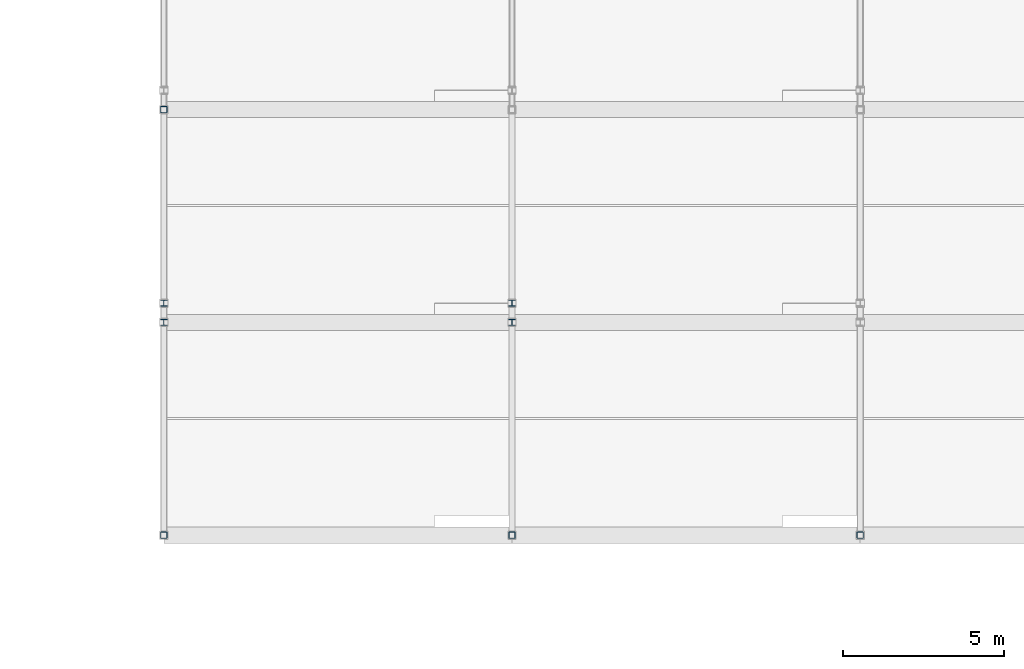
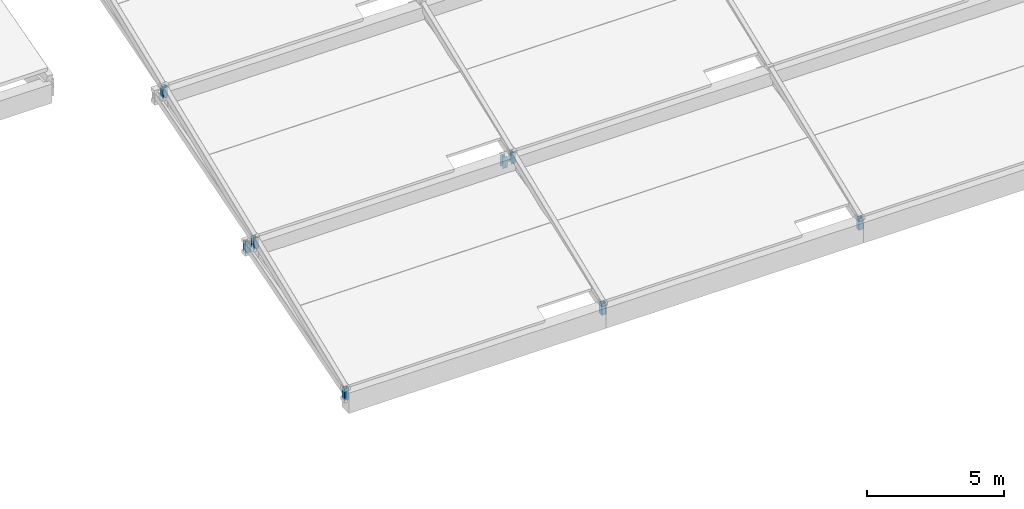
# One storey, part 68 of 112: 8 members.
"""IFC4 building model written with IfcOpenShell, lengths in metres."""

import ifcopenshell
import ifcopenshell.guid

model = None  # the IFC model being written
_history = None  # IfcOwnerHistory: only IFC2X3 demands one
_inside = {}  # id of a spatial element -> (the spatial element, [elements in it])
_under = {}  # id of a project, library or spatial element -> (it, [spatial elements below it])
_declared = {}  # id of a project -> (the project, [libraries it declares])
_typed = {}  # id of a type object -> (the type object, [elements of that type])
_made_of = {}  # id of a material, layer set ... -> (it, [elements and type objects made of it])


def new_model(schema):
    """Start an empty IFC model of exactly this schema.

    Asked for "IFC4X3", IfcOpenShell would pick the latest addendum, in which some entities
    have other attributes; the version numbers below select the first issue.
    IFC2X3 requires an IfcOwnerHistory on every rooted entity: one is made here for all.
    """
    global model, _history
    if schema == "IFC4X3":
        model = ifcopenshell.file(schema_version=(4, 3, 0, 0))
    else:
        model = ifcopenshell.file(schema=schema)
    _inside.clear()
    _under.clear()
    _declared.clear()
    _typed.clear()
    _made_of.clear()
    _history = None
    if model.schema == "IFC2X3":
        org = make("IfcOrganization", Name="unknown")
        user = make(
            "IfcPersonAndOrganization",
            ThePerson=make("IfcPerson", FamilyName="unknown"),
            TheOrganization=org,
        )
        app = make(
            "IfcApplication",
            ApplicationDeveloper=org,
            Version="unknown",
            ApplicationFullName="unknown",
            ApplicationIdentifier="unknown",
        )
        _history = make(
            "IfcOwnerHistory",
            OwningUser=user,
            OwningApplication=app,
            ChangeAction="ADDED",
            CreationDate=0,
        )
    return model


def make(cls, **values):
    """One entity of the class cls with the attributes given. An attribute that is None is left unset."""
    return model.create_entity(
        cls, **{name: value for name, value in values.items() if value is not None}
    )


def rooted(cls, **values):
    """An entity with a GlobalId (a new one), such as an element, a storey or a relation."""
    return make(cls, GlobalId=ifcopenshell.guid.new(), OwnerHistory=_history, **values)


def si_unit(unit_type, name, prefix=None):
    """IfcSIUnit, for example si_unit("LENGTHUNIT", "METRE", prefix="MILLI")."""
    return make("IfcSIUnit", UnitType=unit_type, Prefix=prefix, Name=name)


def assignment(units):
    """IfcUnitAssignment: the units of a project."""
    return None if units is None else make("IfcUnitAssignment", Units=units)


def point(xyz):
    """IfcCartesianPoint."""
    return None if xyz is None else make("IfcCartesianPoint", Coordinates=xyz)


def direction(xyz):
    """IfcDirection."""
    return None if xyz is None else make("IfcDirection", DirectionRatios=xyz)


def frame(location, z_axis=None, x_axis=None):
    """IfcAxis2Placement3D, a coordinate frame: its origin and axes. An axis left out is left unset."""
    return make(
        "IfcAxis2Placement3D",
        Location=point(location),
        Axis=direction(z_axis),
        RefDirection=direction(x_axis),
    )


def frame_2d(location, x_axis=None):
    """IfcAxis2Placement2D, a coordinate frame in the plane: its origin and x axis."""
    return make(
        "IfcAxis2Placement2D", Location=point(location), RefDirection=direction(x_axis)
    )


def origin():
    """The frame at (0, 0, 0) with its axes left unset."""
    return frame((0.0, 0.0, 0.0))


def origin_2d():
    """The frame at (0, 0) in the plane with its x axis left unset."""
    return frame_2d((0.0, 0.0))


def place(relative_to, where):
    """IfcLocalPlacement: puts the frame where relative to a parent placement (None: the world)."""
    return make(
        "IfcLocalPlacement", PlacementRelTo=relative_to, RelativePlacement=where
    )


def context(
    kind, dimensions, precision=None, world=None, true_north=None, identifier=None
):
    """IfcGeometricRepresentationContext, for example the 3D "Model" context."""
    return make(
        "IfcGeometricRepresentationContext",
        ContextIdentifier=identifier,
        ContextType=kind,
        CoordinateSpaceDimension=dimensions,
        Precision=precision,
        WorldCoordinateSystem=world,
        TrueNorth=true_north,
    )


def subcontext(parent, identifier, kind, view, scale=None):
    """IfcGeometricRepresentationSubContext, for example "Body" below "Model"."""
    return make(
        "IfcGeometricRepresentationSubContext",
        ContextIdentifier=identifier,
        ContextType=kind,
        ParentContext=parent,
        TargetScale=scale,
        TargetView=view,
    )


def project(units=None, contexts=None):
    """IfcProject with its units and contexts."""
    return rooted(
        "IfcProject",
        Name="project",
        RepresentationContexts=contexts,
        UnitsInContext=assignment(units),
    )


def spatial(cls, under=None, at=None, **own):
    """A site, building, storey or space (cls), placed at a placement, below another one or the project."""
    s = rooted(cls, ObjectPlacement=at, **own)
    if under is not None:
        _under.setdefault(under.id(), (under, []))[1].append(s)
    return s


def profile(cls, at=None, kind="AREA", **sizes):
    """A parametric profile (cls). Its sizes go by their IFC names, for example OverallWidth=200.0."""
    return make(cls, ProfileType=kind, Position=at, **sizes)


def hollow_rectangle(**sizes):
    """IfcRectangleHollowProfileDef."""
    return profile("IfcRectangleHollowProfileDef", **sizes)


def i_section(**sizes):
    """IfcIShapeProfileDef."""
    return profile("IfcIShapeProfileDef", **sizes)


def extrude(swept, where, along, depth):
    """IfcExtrudedAreaSolid: the profile swept, set in the frame where, extruded along a direction by depth."""
    return make(
        "IfcExtrudedAreaSolid",
        SweptArea=swept,
        Position=where,
        ExtrudedDirection=direction(along),
        Depth=depth,
    )


def shape(context_of_items, identifier, shape_type, items):
    """IfcShapeRepresentation: the items that make up one representation, for example the "Body"."""
    return make(
        "IfcShapeRepresentation",
        ContextOfItems=context_of_items,
        RepresentationIdentifier=identifier,
        RepresentationType=shape_type,
        Items=items,
    )


def material(Name=None, Category=None):
    """IfcMaterial."""
    return make("IfcMaterial", Name=Name, Category=Category)


def material_profile(
    of_material, cross_section, Name=None, Category=None, Priority=None
):
    """IfcMaterialProfile: a cross section and its material."""
    return make(
        "IfcMaterialProfile",
        Name=Name,
        Material=of_material,
        Profile=cross_section,
        Priority=Priority,
        Category=Category,
    )


def profile_set(profiles, Name=None, composite=None):
    """IfcMaterialProfileSet."""
    return make(
        "IfcMaterialProfileSet",
        Name=Name,
        MaterialProfiles=profiles,
        CompositeProfile=composite,
    )


def made_of(thing, what):
    """Note that an element or type object is made of a material, layer set ...; save() writes the relation."""
    if what is not None:
        _made_of.setdefault(what.id(), (what, []))[1].append(thing)
    return thing


def type_object(cls, material=None, **own):
    """A type object (cls), such as IfcWallType, which elements share."""
    return made_of(rooted(cls, **own), material)


def element(
    cls,
    number,
    at=None,
    inside=None,
    cuts=None,
    type_object=None,
    material=None,
    context=None,
    identifier="Body",
    shape_type=None,
    held_by="IfcProductDefinitionShape",
    body=None,
    shapes=None,
    **own,
):
    """One element of the class cls, such as IfcWall. Its Tag is "e" and its number.

    at: its placement. inside: the storey or other place that contains it. cuts: it is an
    opening in that element (IfcRelVoidsElement). A single representation is given by context,
    identifier, shape_type and body (its items); several are given by shapes. held_by: the class
    of the entity that holds the representations. save() writes the other relations.
    """
    e = rooted(cls, Tag="e%d" % number, ObjectPlacement=at, **own)
    if body is not None:
        shapes = [shape(context, identifier, shape_type, body)]
    if shapes is not None:
        e.Representation = make(held_by, Representations=shapes)
    if inside is not None:
        _inside.setdefault(inside.id(), (inside, []))[1].append(e)
    if cuts is not None:
        rooted(
            "IfcRelVoidsElement", RelatingBuildingElement=cuts, RelatedOpeningElement=e
        )
    if type_object is not None:
        _typed.setdefault(type_object.id(), (type_object, []))[1].append(e)
    return made_of(e, material)


def aggregate(whole, parts):
    """IfcRelAggregates: a whole, such as a stair, and the parts it consists of."""
    return rooted("IfcRelAggregates", RelatingObject=whole, RelatedObjects=parts)


def save(model, path):
    """Write the relations noted so far, then the file.

    IfcRelAggregates (storeys below a building ...), IfcRelContainedInSpatialStructure (elements
    in a storey), IfcRelDefinesByType, IfcRelAssociatesMaterial and IfcRelDeclares: one each for
    every whole, place, type object, material and project.
    """
    for whole, parts in _under.values():
        aggregate(whole, parts)
    for where, things in _inside.values():
        rooted(
            "IfcRelContainedInSpatialStructure",
            RelatedElements=things,
            RelatingStructure=where,
        )
    for kind, things in _typed.values():
        rooted("IfcRelDefinesByType", RelatedObjects=things, RelatingType=kind)
    for what, things in _made_of.values():
        rooted("IfcRelAssociatesMaterial", RelatedObjects=things, RelatingMaterial=what)
    for by, libraries in _declared.values():
        rooted("IfcRelDeclares", RelatingContext=by, RelatedDefinitions=libraries)
    model.write(path)


model = new_model("IFC4")

# Units and contexts
model_context = context("Model", 3, precision=1e-05, world=origin(), true_north=direction((0.0, 1.0)))
body_context = subcontext(model_context, "Body", "Model", "MODEL_VIEW")
ifc_project = project(units=[si_unit("LENGTHUNIT", "METRE"), si_unit("AREAUNIT", "SQUARE_METRE"), si_unit("VOLUMEUNIT", "CUBIC_METRE"), si_unit("PLANEANGLEUNIT", "RADIAN"), si_unit("MASSUNIT", "GRAM", prefix="KILO")], contexts=[model_context])

# Site, building, storey
site_placement = place(None, origin())
site = spatial("IfcSite", under=ifc_project, at=site_placement, CompositionType="ELEMENT")
building_placement = place(site_placement, origin())
building = spatial("IfcBuilding", under=site, at=building_placement, Name="Zwinboog Wholesale Market", CompositionType="ELEMENT")
storey_placement = place(building_placement, frame((0.0, 0.0, 19.080078125)))
storey = spatial("IfcBuildingStorey", under=building, at=storey_placement, Name="Roof", CompositionType="ELEMENT", Elevation=19.080078125)

# Members
ifc_material = material(Name="Steel S355", Category="steel")
ifc_material_profile_1 = material_profile(ifc_material, hollow_rectangle(XDim=0.199951171875, YDim=0.199951171875, WallThickness=0.010009765625, InnerFilletRadius=0.010009765625, OuterFilletRadius=0.02001953125, at=origin_2d()), Name="SHS 200x200x10")
ifc_profile_set_1 = profile_set([ifc_material_profile_1], Name="Steel S355")
member_type_1 = type_object("IfcMemberType", Name="MT-04", PredefinedType="BRACE", material=ifc_profile_set_1)
for number, where, z_axis, x_axis, name in (
    (1, (64.800048828125, 43.199951171875, -10.030029296875), (0.0, 0.0, 1.0), (1.0, 0.0, 0.0), "DB-01 (MEM-Roof-0002)"),
    (2, (64.800048828125, 56.39990234375, -4.630126953125), (0.0, 0.0, 1.0), (1.0, 0.0, 0.0), "DB-01 (MEM-Roof-0008)"),
    (3, (75.60009765625, 43.199951171875, -10.030029296875), (0.0, 0.0, 1.0), (1.0, 0.0, 0.0), "DB-01 (MEM-Roof-0032)"),
    (4, (86.39990234375, 43.199951171875, -10.030029296875), (0.0, 0.0, 1.0), (1.0, 0.0, 0.0), "DB-01 (MEM-Roof-0062)"),
):
    element("IfcMember", number, at=place(storey_placement, frame(where, z_axis=z_axis, x_axis=x_axis)), inside=storey, type_object=member_type_1, Name=name, PredefinedType="BRACE", context=body_context, shape_type="SweptSolid", body=[
        extrude(hollow_rectangle(XDim=0.199951171875, YDim=0.199951171875, WallThickness=0.010009765625, InnerFilletRadius=0.010009765625, OuterFilletRadius=0.02001953125, at=origin_2d()), origin(), (0.0, 0.0, 1.0), 0.5),
    ])
ifc_material_profile_2 = material_profile(ifc_material, i_section(OverallWidth=0.199951171875, OverallDepth=0.18994140625, WebThickness=0.006591796875, FlangeThickness=0.010009765625, FilletRadius=0.01806640625, at=origin_2d()), Name="HEA 200")
ifc_profile_set_2 = profile_set([ifc_material_profile_2], Name="Steel S355")
member_type_2 = type_object("IfcMemberType", Name="MT-05", PredefinedType="BRACE", material=ifc_profile_set_2)
for number, where, z_axis, x_axis, name in (
    (5, (64.800048828125, 50.39990234375, -7.880126953125), (0.0, 0.0, 1.0), (1.0, 0.0, 0.0), "DB-02 (MEM-Roof-0003)"),
    (6, (64.800048828125, 49.800048828125, -7.330078125), (0.0, 0.0, 1.0), (1.0, 0.0, 0.0), "DB-02 (MEM-Roof-0005)"),
    (7, (75.60009765625, 50.39990234375, -7.880126953125), (0.0, 0.0, 1.0), (1.0, 0.0, 0.0), "DB-02 (MEM-Roof-0033)"),
    (8, (75.60009765625, 49.800048828125, -7.330078125), (0.0, 0.0, 1.0), (1.0, 0.0, 0.0), "DB-02 (MEM-Roof-0035)"),
):
    element("IfcMember", number, at=place(storey_placement, frame(where, z_axis=z_axis, x_axis=x_axis)), inside=storey, type_object=member_type_2, Name=name, PredefinedType="BRACE", context=body_context, shape_type="SweptSolid", body=[
        extrude(i_section(OverallWidth=0.199951171875, OverallDepth=0.18994140625, WebThickness=0.006591796875, FlangeThickness=0.010009765625, FilletRadius=0.01806640625, at=origin_2d()), origin(), (0.0, 0.0, 1.0), 0.5),
    ])

save(model, "model.ifc")
